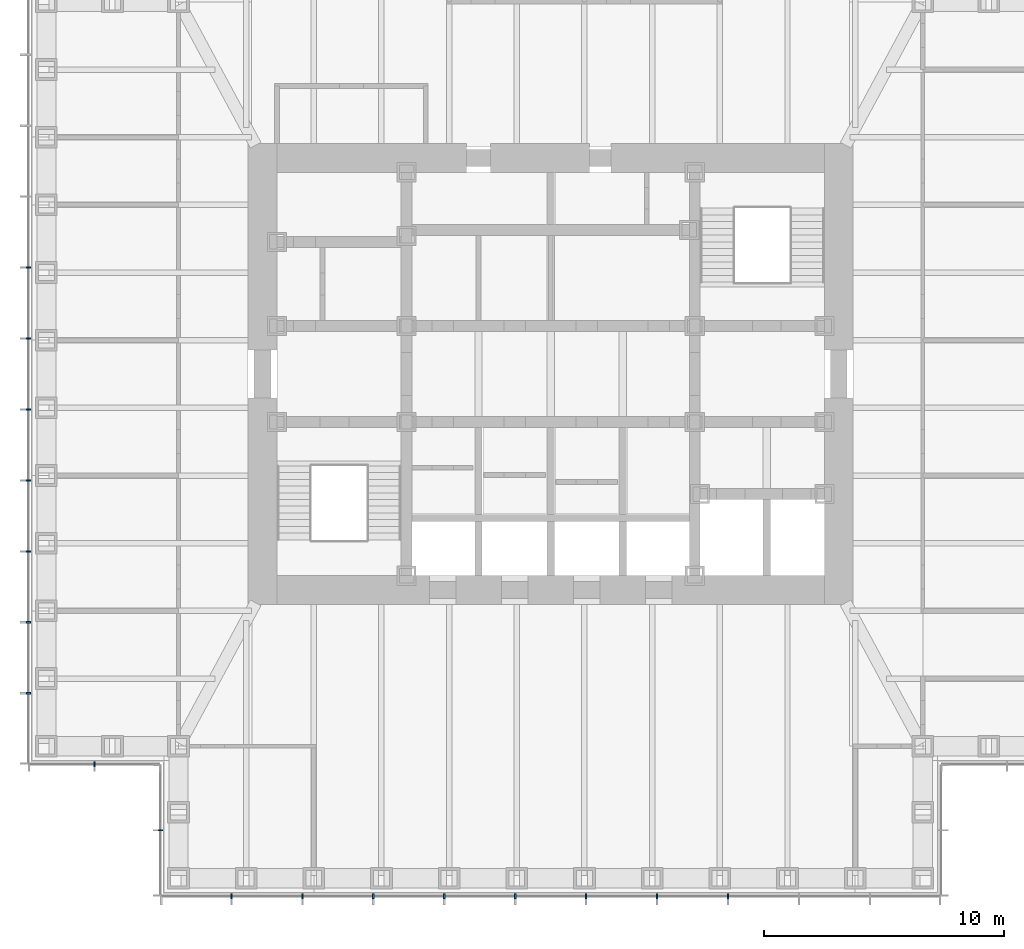
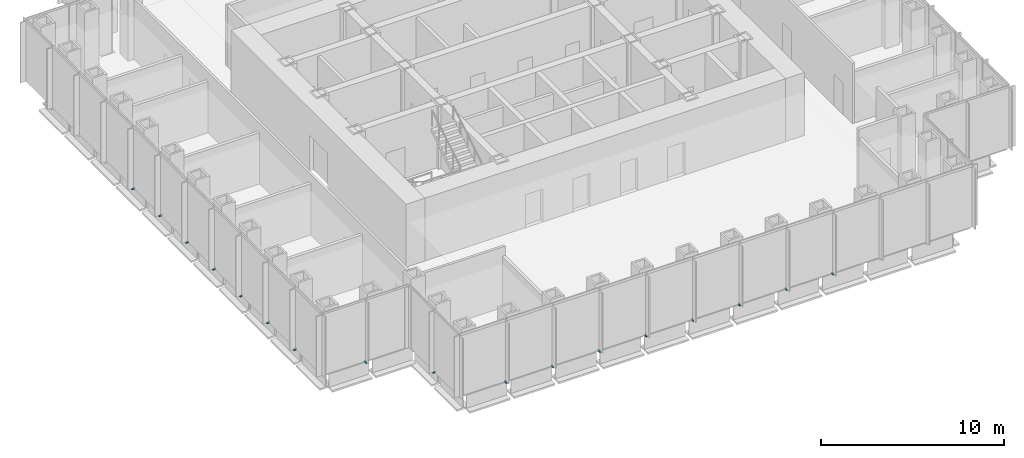
# One storey, part 11 of 16: 17 discrete accessories.
"""IFC4 building model written with IfcOpenShell, lengths in metres."""

from ifc_helpers import new_model, si_unit, direction, frame, origin, origin_2d, place, context, subcontext, project, spatial, rectangle, extrude, element, save


model = new_model("IFC4")

# Units and contexts
model_context = context("Model", 3, precision=1e-05, world=origin(), true_north=direction((0.0, 1.0)))
body_context = subcontext(model_context, "Body", "Model", "MODEL_VIEW")
ifc_project = project(units=[si_unit("LENGTHUNIT", "METRE"), si_unit("AREAUNIT", "SQUARE_METRE"), si_unit("VOLUMEUNIT", "CUBIC_METRE"), si_unit("PLANEANGLEUNIT", "RADIAN"), si_unit("MASSUNIT", "GRAM", prefix="KILO")], contexts=[model_context])

# Site, building, storey
site_placement = place(None, origin())
site = spatial("IfcSite", under=ifc_project, at=site_placement, CompositionType="ELEMENT")
building_placement = place(site_placement, origin())
building = spatial("IfcBuilding", under=site, at=building_placement, Name="Daluyong Arena Tower", CompositionType="ELEMENT")
storey_placement = place(building_placement, frame((0.0, 0.0, 189.699951171875)))
storey = spatial("IfcBuildingStorey", under=building, at=storey_placement, Name="L42", CompositionType="ELEMENT", Elevation=189.699951171875)

# Discrete accessories
for number, where, z_axis, x_axis, name in (
    (1, (42.70458984375, 58.25, -0.10009765625), (0.0, 0.0, 1.0), (1.0, 0.0, 0.0), "curtain wall L42 S anchor bracket 2"),
    (2, (45.6591796875, 58.25, -0.10009765625), (0.0, 0.0, 1.0), (1.0, 0.0, 0.0), "curtain wall L42 S anchor bracket 3"),
    (3, (48.613525390625, 58.25, -0.10009765625), (0.0, 0.0, 1.0), (1.0, 0.0, 0.0), "curtain wall L42 S anchor bracket 4"),
    (4, (51.568115234375, 58.25, -0.10009765625), (0.0, 0.0, 1.0), (1.0, 0.0, 0.0), "curtain wall L42 S anchor bracket 5"),
    (5, (54.522705078125, 58.25, -0.10009765625), (0.0, 0.0, 1.0), (1.0, 0.0, 0.0), "curtain wall L42 S anchor bracket 6"),
    (6, (57.477294921875, 58.25, -0.10009765625), (0.0, 0.0, 1.0), (1.0, 0.0, 0.0), "curtain wall L42 S anchor bracket 7"),
    (7, (60.431884765625, 58.25, -0.10009765625), (0.0, 0.0, 1.0), (1.0, 0.0, 0.0), "curtain wall L42 S anchor bracket 8"),
    (8, (63.386474609375, 58.25, -0.10009765625), (0.0, 0.0, 1.0), (1.0, 0.0, 0.0), "curtain wall L42 S anchor bracket 9"),
    (9, (34.25, 84.431884765625, -0.10009765625), (0.0, 0.0, 1.0), (0.0, -1.0, 0.0), "curtain wall L42 W anchor bracket 5"),
    (10, (34.25, 81.477294921875, -0.10009765625), (0.0, 0.0, 1.0), (0.0, -1.0, 0.0), "curtain wall L42 W anchor bracket 6"),
    (11, (34.25, 78.522705078125, -0.10009765625), (0.0, 0.0, 1.0), (0.0, -1.0, 0.0), "curtain wall L42 W anchor bracket 7"),
    (12, (34.25, 75.568115234375, -0.10009765625), (0.0, 0.0, 1.0), (0.0, -1.0, 0.0), "curtain wall L42 W anchor bracket 8"),
    (13, (34.25, 72.613525390625, -0.10009765625), (0.0, 0.0, 1.0), (0.0, -1.0, 0.0), "curtain wall L42 W anchor bracket 9"),
    (14, (34.25, 69.6591796875, -0.10009765625), (0.0, 0.0, 1.0), (0.0, -1.0, 0.0), "curtain wall L42 W anchor bracket 10"),
    (15, (34.25, 66.70458984375, -0.10009765625), (0.0, 0.0, 1.0), (0.0, -1.0, 0.0), "curtain wall L42 W anchor bracket 11"),
):
    element("IfcDiscreteAccessory", number, at=place(storey_placement, frame(where, z_axis=z_axis, x_axis=x_axis)), inside=storey, Name=name, PredefinedType="BRACKET", context=body_context, shape_type="SweptSolid", body=[
        extrude(rectangle(XDim=0.070068359375, YDim=0.199951171875, at=origin_2d()), origin(), (0.0, 0.0, 1.0), 0.10009765625),
    ])
for number, where, z_axis, x_axis, name in (
    (16, (37.0, 63.75, -0.10009765625), (0.0, 0.0, 1.0), (1.0, 0.0, 0.0), "curtain wall L42 SW-S anchor bracket 2"),
    (17, (39.75, 61.0, -0.10009765625), (0.0, 0.0, 1.0), (0.0, -1.0, 0.0), "curtain wall L42 SW-W anchor bracket 2"),
):
    element("IfcDiscreteAccessory", number, at=place(storey_placement, frame(where, z_axis=z_axis, x_axis=x_axis)), inside=storey, Name=name, PredefinedType="BRACKET", context=body_context, shape_type="SweptSolid", body=[
        extrude(rectangle(XDim=0.06005859375, YDim=0.199951171875, at=origin_2d()), origin(), (0.0, 0.0, 1.0), 0.10009765625),
    ])

save(model, "model.ifc")
